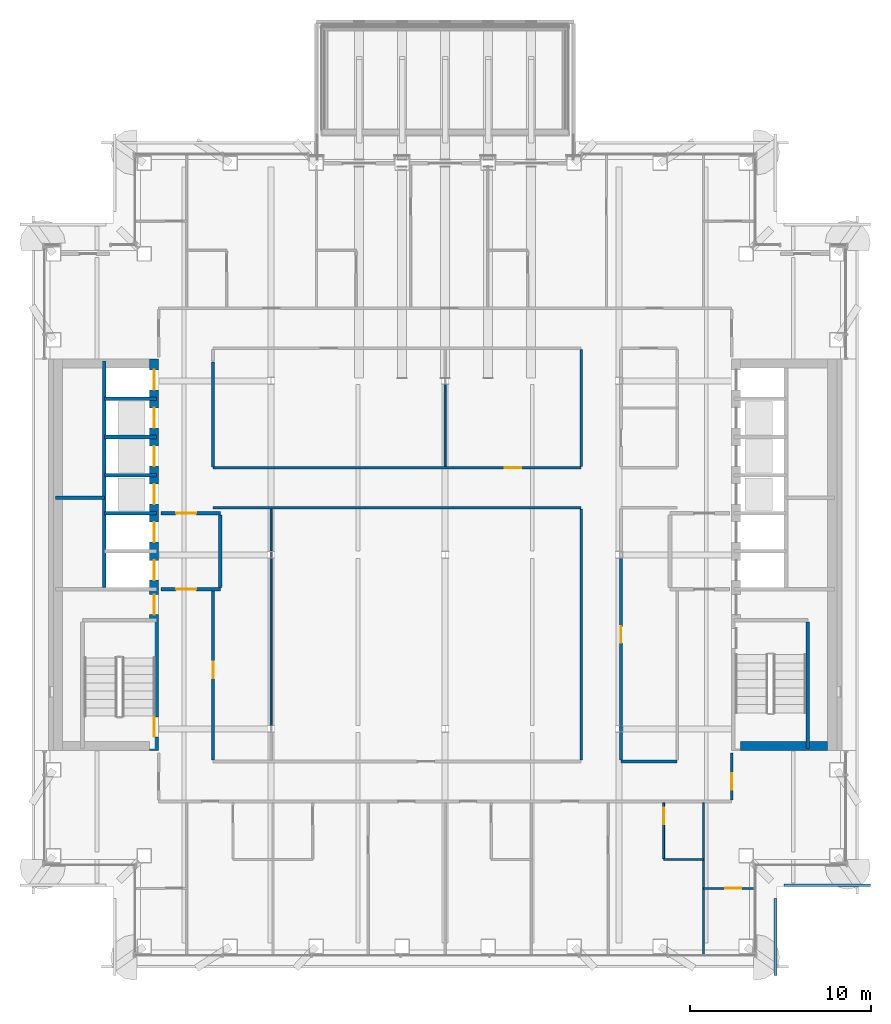
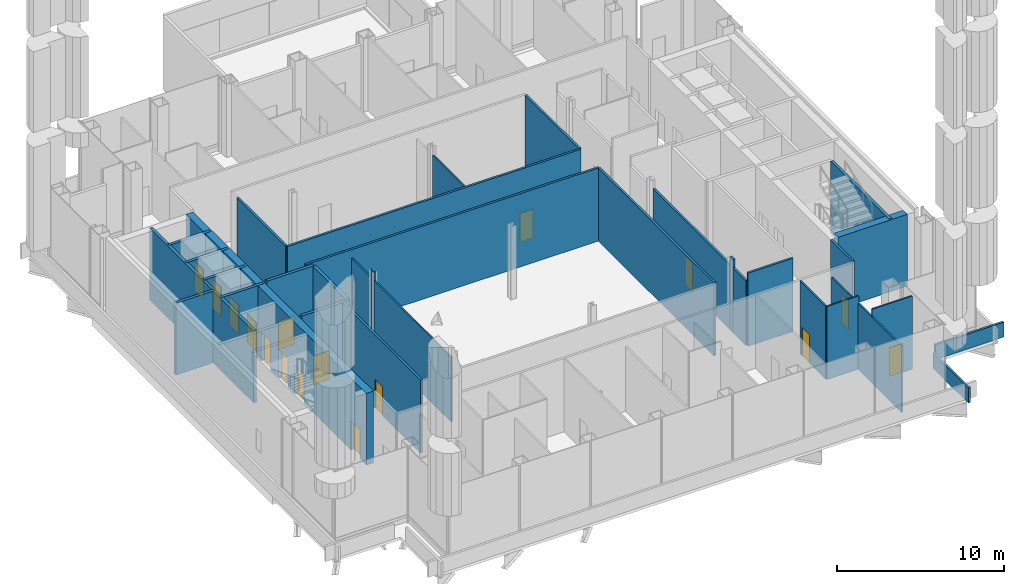
# One storey, part 11 of 22: 33 walls, 16 doors, 16 openings.
"""IFC4 building model written with IfcOpenShell, lengths in metres."""

from ifc_helpers import new_model, si_unit, direction, frame, frame_2d, origin, place, context, subcontext, project, spatial, rectangle, extrude, material, layer, layer_set, type_object, element, fill, save


model = new_model("IFC4")

# Units and contexts
model_context = context("Model", 3, precision=1e-05, world=origin(), true_north=direction((0.0, 1.0)))
body_context = subcontext(model_context, "Body", "Model", "MODEL_VIEW")
ifc_project = project(units=[si_unit("LENGTHUNIT", "METRE"), si_unit("AREAUNIT", "SQUARE_METRE"), si_unit("VOLUMEUNIT", "CUBIC_METRE"), si_unit("PLANEANGLEUNIT", "RADIAN"), si_unit("MASSUNIT", "GRAM", prefix="KILO")], contexts=[model_context])

# Site, building, storey
site_placement = place(None, origin())
site = spatial("IfcSite", under=ifc_project, at=site_placement, CompositionType="ELEMENT")
building_placement = place(site_placement, origin())
building = spatial("IfcBuilding", under=site, at=building_placement, Name="Cobrizo Arcos Hotel Tower", CompositionType="ELEMENT")
storey_placement = place(building_placement, frame((0.0, 0.0, 142.5)))
storey = spatial("IfcBuildingStorey", under=building, at=storey_placement, Name="L36", CompositionType="ELEMENT", Elevation=142.5)

# Walls
ifc_material_1 = material(Name="Gypsum board partition")
ifc_layer_1 = layer(ifc_material_1, 0.14990234375)
ifc_layer_set_1 = layer_set([ifc_layer_1], Name="Corridor wall EI 60 150")
wall_type_1 = type_object("IfcWallType", Name="Corridor wall EI 60 150", PredefinedType="PARTITIONING", material=ifc_layer_set_1)
wall_1_placement = place(storey_placement, frame((9.699951171875, -11.39990234375, 0.0), z_axis=(0.0, 0.0, 1.0), x_axis=(1.0, 0.0, 0.0)))
element("IfcWall", 1, at=wall_1_placement, inside=storey, type_object=wall_type_1, Name="Partition 008", PredefinedType="PARTITIONING", context=body_context, shape_type="SweptSolid", body=[
    extrude(rectangle(XDim=3.10009765625, YDim=0.14990234375, at=frame_2d((1.550048828125, 0.0))), origin(), (0.0, 0.0, 1.0), 5.35009765625),
])
wall_2_placement = place(storey_placement, frame((-12.800048828125, 2.60009765625, 0.0), z_axis=(0.0, 0.0, 1.0), x_axis=(1.0, 0.0, 0.0)))
element("IfcWall", 2, at=wall_2_placement, inside=storey, type_object=wall_type_1, Name="Partition 021", PredefinedType="PARTITIONING", context=body_context, shape_type="SweptSolid", body=[
    extrude(rectangle(XDim=20.300048828125, YDim=0.14990234375, at=frame_2d((10.14990234375, 0.0))), origin(), (0.0, 0.0, 1.0), 5.35009765625),
])

# Wall, opening, door
wall_3_placement = place(storey_placement, frame((-12.800048828125, 4.800048828125, 0.0), z_axis=(0.0, 0.0, 1.0), x_axis=(1.0, 0.0, 0.0)))
wall_3 = element("IfcWall", 3, at=wall_3_placement, inside=storey, type_object=wall_type_1, Name="Partition 027", PredefinedType="PARTITIONING", context=body_context, shape_type="SweptSolid", body=[
    extrude(rectangle(XDim=20.300048828125, YDim=0.14990234375, at=frame_2d((10.14990234375, 0.0))), origin(), (0.0, 0.0, 1.0), 5.35009765625),
])
opening_1_placement = place(wall_3_placement, frame((16.10009765625, 0.0, 0.0)))
opening_1 = element("IfcOpeningElement", 4, at=opening_1_placement, cuts=wall_3, Name="Opening RD-18", PredefinedType="OPENING", context=body_context, shape_type="SweptSolid", body=[
    extrude(rectangle(XDim=0.89990234375, YDim=2.10009765625, at=frame_2d((0.449951171875, 1.050048828125))), frame((0.0, 0.0869140625, 0.0), z_axis=(0.0, -1.0, 0.0), x_axis=(1.0, 0.0, 0.0)), (0.0, 0.0, 1.0), 0.173828125),
])
ifc_material_2 = material(Name="Timber door leaf", Category="wood")
door_type_1 = type_object("IfcDoorType", Name="Room door FD30 900x2100", OperationType="SINGLE_SWING_LEFT", PredefinedType="DOOR", material=ifc_material_2)
door_1_placement = place(opening_1_placement, origin())
door_1 = element("IfcDoor", 5, at=door_1_placement, inside=storey, type_object=door_type_1, Name="Door RD-18", OperationType="SINGLE_SWING_LEFT", OverallHeight=2.10009765625, OverallWidth=0.89990234375, PredefinedType="DOOR", context=body_context, shape_type="SweptSolid", body=[
    extrude(rectangle(XDim=0.89990234375, YDim=2.10009765625, at=frame_2d((0.449951171875, 1.050048828125))), frame((0.0, 0.02490234375, 0.0), z_axis=(0.0, -1.0, 0.0), x_axis=(1.0, 0.0, 0.0)), (0.0, 0.0, 1.0), 0.050048828125),
])
fill(opening_1, door_1)

wall_4_placement = place(storey_placement, frame((-12.800048828125, -11.324951171875, 0.0), z_axis=(0.0, 0.0, 1.0), x_axis=(0.0, 1.0, 0.0)))
wall_4 = element("IfcWall", 6, at=wall_4_placement, inside=storey, type_object=wall_type_1, Name="Partition 050", PredefinedType="PARTITIONING", context=body_context, shape_type="SweptSolid", body=[
    extrude(rectangle(XDim=9.324951171875, YDim=0.14990234375, at=frame_2d((4.66259765625, 0.0))), origin(), (0.0, 0.0, 1.0), 5.35009765625),
])
opening_2_placement = place(wall_4_placement, frame((4.52490234375, 0.0, 0.0)))
opening_2 = element("IfcOpeningElement", 7, at=opening_2_placement, cuts=wall_4, Name="Opening RD-17", PredefinedType="OPENING", context=body_context, shape_type="SweptSolid", body=[
    extrude(rectangle(XDim=0.89990234375, YDim=2.10009765625, at=frame_2d((0.449951171875, 1.050048828125))), frame((0.0, 0.0869140625, 0.0), z_axis=(0.0, -1.0, 0.0), x_axis=(1.0, 0.0, 0.0)), (0.0, 0.0, 1.0), 0.173828125),
])
door_2_placement = place(opening_2_placement, origin())
door_2 = element("IfcDoor", 8, at=door_2_placement, inside=storey, type_object=door_type_1, Name="Door RD-17", OperationType="SINGLE_SWING_RIGHT", OverallHeight=2.10009765625, OverallWidth=0.89990234375, PredefinedType="DOOR", context=body_context, shape_type="SweptSolid", body=[
    extrude(rectangle(XDim=0.89990234375, YDim=2.10009765625, at=frame_2d((0.449951171875, 1.050048828125))), frame((0.0, 0.02490234375, 0.0), z_axis=(0.0, -1.0, 0.0), x_axis=(1.0, 0.0, 0.0)), (0.0, 0.0, 1.0), 0.050048828125),
])
fill(opening_2, door_2)

# Walls
wall_5_placement = place(storey_placement, frame((-12.800048828125, 4.85009765625, 0.0), z_axis=(0.0, 0.0, 1.0), x_axis=(0.0, 1.0, 0.0)))
element("IfcWall", 9, at=wall_5_placement, inside=storey, type_object=wall_type_1, Name="Partition 051", PredefinedType="PARTITIONING", context=body_context, shape_type="SweptSolid", body=[
    extrude(rectangle(XDim=5.7998046875, YDim=0.14990234375, at=frame_2d((2.89990234375, 0.0))), origin(), (0.0, 0.0, 1.0), 5.35009765625),
])
wall_6_placement = place(storey_placement, frame((7.5, -11.324951171875, 0.0), z_axis=(0.0, 0.0, 1.0), x_axis=(0.0, 1.0, 0.0)))
element("IfcWall", 10, at=wall_6_placement, inside=storey, type_object=wall_type_1, Name="Partition 078", PredefinedType="PARTITIONING", context=body_context, shape_type="SweptSolid", body=[
    extrude(rectangle(XDim=13.849853515625, YDim=0.14990234375, at=frame_2d((6.9248046875, 0.0))), origin(), (0.0, 0.0, 1.0), 5.35009765625),
])
wall_7_placement = place(storey_placement, frame((7.5, 4.875, 0.0), z_axis=(0.0, 0.0, 1.0), x_axis=(0.0, 1.0, 0.0)))
element("IfcWall", 11, at=wall_7_placement, inside=storey, type_object=wall_type_1, Name="Partition 079", PredefinedType="PARTITIONING", context=body_context, shape_type="SweptSolid", body=[
    extrude(rectangle(XDim=6.449951171875, YDim=0.14990234375, at=frame_2d((3.22509765625, 0.0))), origin(), (0.0, 0.0, 1.0), 5.35009765625),
])
wall_8_placement = place(storey_placement, frame((9.699951171875, -11.324951171875, 0.0), z_axis=(0.0, 0.0, 1.0), x_axis=(0.0, 1.0, 0.0)))
element("IfcWall", 12, at=wall_8_placement, inside=storey, type_object=wall_type_1, Name="Partition 082", PredefinedType="PARTITIONING", context=body_context, shape_type="SweptSolid", body=[
    extrude(rectangle(XDim=1.537841796875, YDim=0.14990234375, at=frame_2d((0.76904296875, 0.0))), origin(), (0.0, 0.0, 1.0), 4.72802734375),
])
wall_9_placement = place(storey_placement, frame((9.699951171875, -9.787109375, 0.0), z_axis=(0.0, 0.0, 1.0), x_axis=(0.0, 1.0, 0.0)))
element("IfcWall", 13, at=wall_9_placement, inside=storey, type_object=wall_type_1, Name="Partition 083", PredefinedType="PARTITIONING", context=body_context, shape_type="SweptSolid", body=[
    extrude(rectangle(XDim=0.3740234375, YDim=0.14990234375, at=frame_2d((0.18701171875, 0.0))), origin(), (0.0, 0.0, 1.0), 5.35009765625),
])

# Wall, opening, door
wall_10_placement = place(storey_placement, frame((9.699951171875, -9.4130859375, 0.0), z_axis=(0.0, 0.0, 1.0), x_axis=(0.0, 1.0, 0.0)))
wall_10 = element("IfcWall", 14, at=wall_10_placement, inside=storey, type_object=wall_type_1, Name="Partition 084", PredefinedType="PARTITIONING", context=body_context, shape_type="SweptSolid", body=[
    extrude(rectangle(XDim=9.22607421875, YDim=0.14990234375, at=frame_2d((4.613037109375, 0.0))), origin(), (0.0, 0.0, 1.0), 4.72802734375),
])
opening_3_placement = place(wall_10_placement, frame((4.56298828125, 0.0, 0.0)))
opening_3 = element("IfcOpeningElement", 15, at=opening_3_placement, cuts=wall_10, Name="Opening RD-16", PredefinedType="OPENING", context=body_context, shape_type="SweptSolid", body=[
    extrude(rectangle(XDim=0.89990234375, YDim=2.10009765625, at=frame_2d((0.449951171875, 1.050048828125))), frame((0.0, 0.0869140625, 0.0), z_axis=(0.0, -1.0, 0.0), x_axis=(1.0, 0.0, 0.0)), (0.0, 0.0, 1.0), 0.173828125),
])
door_3_placement = place(opening_3_placement, origin())
door_3 = element("IfcDoor", 16, at=door_3_placement, inside=storey, type_object=door_type_1, Name="Door RD-16", OperationType="SINGLE_SWING_LEFT", OverallHeight=2.10009765625, OverallWidth=0.89990234375, PredefinedType="DOOR", context=body_context, shape_type="SweptSolid", body=[
    extrude(rectangle(XDim=0.89990234375, YDim=2.10009765625, at=frame_2d((0.449951171875, 1.050048828125))), frame((0.0, 0.02490234375, 0.0), z_axis=(0.0, -1.0, 0.0), x_axis=(1.0, 0.0, 0.0)), (0.0, 0.0, 1.0), 0.050048828125),
])
fill(opening_3, door_3)

wall_11_placement = place(storey_placement, frame((15.800048828125, -13.52490234375, 0.0), z_axis=(0.0, 0.0, 1.0), x_axis=(0.0, 1.0, 0.0)))
wall_11 = element("IfcWall", 17, at=wall_11_placement, inside=storey, type_object=wall_type_1, Name="Partition 097", PredefinedType="PARTITIONING", context=body_context, shape_type="SweptSolid", body=[
    extrude(rectangle(XDim=2.60498046875, YDim=0.14990234375, at=frame_2d((1.302490234375, 0.0))), origin(), (0.0, 0.0, 1.0), 5.35009765625),
])
opening_4_placement = place(wall_11_placement, frame((0.574951171875, 0.0, 0.0)))
opening_4 = element("IfcOpeningElement", 18, at=opening_4_placement, cuts=wall_11, Name="Opening RD-14", PredefinedType="OPENING", context=body_context, shape_type="SweptSolid", body=[
    extrude(rectangle(XDim=0.89990234375, YDim=2.10009765625, at=frame_2d((0.449951171875, 1.050048828125))), frame((0.0, 0.0869140625, 0.0), z_axis=(0.0, -1.0, 0.0), x_axis=(1.0, 0.0, 0.0)), (0.0, 0.0, 1.0), 0.173828125),
])
door_4_placement = place(opening_4_placement, origin())
door_4 = element("IfcDoor", 19, at=door_4_placement, inside=storey, type_object=door_type_1, Name="Door RD-14", OperationType="SINGLE_SWING_LEFT", OverallHeight=2.10009765625, OverallWidth=0.89990234375, PredefinedType="DOOR", context=body_context, shape_type="SweptSolid", body=[
    extrude(rectangle(XDim=0.89990234375, YDim=2.10009765625, at=frame_2d((0.449951171875, 1.050048828125))), frame((0.0, 0.02490234375, 0.0), z_axis=(0.0, -1.0, 0.0), x_axis=(1.0, 0.0, 0.0)), (0.0, 0.0, 1.0), 0.050048828125),
])
fill(opening_4, door_4)

# Walls
ifc_material_3 = material(Name="Aluminium composite panel pale metal", Category="aluminium")
ifc_layer_2 = layer(ifc_material_3, 0.14990234375)
ifc_layer_set_2 = layer_set([ifc_layer_2], Name="PW-3 terrace parapet wall")
wall_type_2 = type_object("IfcWallType", Name="PW-3 terrace parapet wall", PredefinedType="PARAPET", material=ifc_layer_set_2)
wall_12_placement = place(storey_placement, frame((18.22509765625, -23.199951171875, 0.0), z_axis=(0.0, 0.0, 1.0), x_axis=(0.0, 1.0, 0.0)))
element("IfcWall", 20, at=wall_12_placement, inside=storey, type_object=wall_type_2, Name="Parapet L35 E", PredefinedType="PARAPET", context=body_context, shape_type="SweptSolid", body=[
    extrude(rectangle(XDim=4.25, YDim=0.14990234375, at=frame_2d((2.125, 0.0))), origin(), (0.0, 0.0, 1.0), 1.10009765625),
])
wall_13_placement = place(storey_placement, frame((18.699951171875, -18.22509765625, 0.0), z_axis=(0.0, 0.0, 1.0), x_axis=(1.0, 0.0, 0.0)))
element("IfcWall", 21, at=wall_13_placement, inside=storey, type_object=wall_type_2, Name="Parapet L35 S", PredefinedType="PARAPET", context=body_context, shape_type="SweptSolid", body=[
    extrude(rectangle(XDim=4.75, YDim=0.14990234375, at=frame_2d((2.375, 0.0))), origin(), (0.0, 0.0, 1.0), 1.10009765625),
])

# Wall, opening, door
ifc_layer_3 = layer(ifc_material_1, 0.10009765625)
ifc_layer_set_3 = layer_set([ifc_layer_3], Name="Partition EI 30 100")
wall_type_3 = type_object("IfcWallType", Name="Partition EI 30 100", PredefinedType="PARTITIONING", material=ifc_layer_set_3)
wall_14_placement = place(storey_placement, frame((14.25, -18.39990234375, 0.0), z_axis=(0.0, 0.0, 1.0), x_axis=(1.0, 0.0, 0.0)))
wall_14 = element("IfcWall", 22, at=wall_14_placement, inside=storey, type_object=wall_type_3, Name="Partition 002", PredefinedType="PARTITIONING", context=body_context, shape_type="SweptSolid", body=[
    extrude(rectangle(XDim=2.780029296875, YDim=0.10009765625, at=frame_2d((1.39013671875, 0.0))), origin(), (0.0, 0.0, 1.0), 5.35009765625),
])
opening_5_placement = place(wall_14_placement, frame((1.18896484375, 0.0, 0.0)))
opening_5 = element("IfcOpeningElement", 23, at=opening_5_placement, cuts=wall_14, Name="Opening ED-10", PredefinedType="OPENING", context=body_context, shape_type="SweptSolid", body=[
    extrude(rectangle(XDim=0.89990234375, YDim=2.10009765625, at=frame_2d((0.449951171875, 1.050048828125))), frame((0.0, 0.06201171875, 0.0), z_axis=(0.0, -1.0, 0.0), x_axis=(1.0, 0.0, 0.0)), (0.0, 0.0, 1.0), 0.1240234375),
])
door_type_2 = type_object("IfcDoorType", Name="En-suite door 900x2100", OperationType="SINGLE_SWING_LEFT", PredefinedType="DOOR", material=ifc_material_2)
door_5_placement = place(opening_5_placement, origin())
door_5 = element("IfcDoor", 24, at=door_5_placement, inside=storey, type_object=door_type_2, Name="Door ED-10", OperationType="SINGLE_SWING_RIGHT", OverallHeight=2.10009765625, OverallWidth=0.89990234375, PredefinedType="DOOR", context=body_context, shape_type="SweptSolid", body=[
    extrude(rectangle(XDim=0.89990234375, YDim=2.10009765625, at=frame_2d((0.449951171875, 1.050048828125))), frame((0.0, 0.02490234375, 0.0), z_axis=(0.0, -1.0, 0.0), x_axis=(1.0, 0.0, 0.0)), (0.0, 0.0, 1.0), 0.050048828125),
])
fill(opening_5, door_5)

# Walls
wall_15_placement = place(storey_placement, frame((12.050048828125, -16.800048828125, 0.0), z_axis=(0.0, 0.0, 1.0), x_axis=(1.0, 0.0, 0.0)))
element("IfcWall", 25, at=wall_15_placement, inside=storey, type_object=wall_type_3, Name="Partition 005", PredefinedType="PARTITIONING", context=body_context, shape_type="SweptSolid", body=[
    extrude(rectangle(XDim=2.199951171875, YDim=0.10009765625, at=frame_2d((1.10009765625, 0.0))), origin(), (0.0, 0.0, 1.0), 5.35009765625),
])
wall_16_placement = place(storey_placement, frame((-9.60009765625, -9.4130859375, 0.0), z_axis=(0.0, 0.0, 1.0), x_axis=(0.0, 1.0, 0.0)))
element("IfcWall", 26, at=wall_16_placement, inside=storey, type_object=wall_type_3, Name="Partition 058", PredefinedType="PARTITIONING", context=body_context, shape_type="SweptSolid", body=[
    extrude(rectangle(XDim=9.22607421875, YDim=0.10009765625, at=frame_2d((4.613037109375, 0.0))), origin(), (0.0, 0.0, 1.0), 4.72802734375),
])
wall_17_placement = place(storey_placement, frame((-9.60009765625, -0.18701171875, 0.0), z_axis=(0.0, 0.0, 1.0), x_axis=(0.0, 1.0, 0.0)))
element("IfcWall", 27, at=wall_17_placement, inside=storey, type_object=wall_type_3, Name="Partition 059", PredefinedType="PARTITIONING", context=body_context, shape_type="SweptSolid", body=[
    extrude(rectangle(XDim=0.3740234375, YDim=0.10009765625, at=frame_2d((0.18701171875, 0.0))), origin(), (0.0, 0.0, 1.0), 5.35009765625),
])
wall_18_placement = place(storey_placement, frame((-9.60009765625, 0.18701171875, 0.0), z_axis=(0.0, 0.0, 1.0), x_axis=(0.0, 1.0, 0.0)))
element("IfcWall", 28, at=wall_18_placement, inside=storey, type_object=wall_type_3, Name="Partition 060", PredefinedType="PARTITIONING", context=body_context, shape_type="SweptSolid", body=[
    extrude(rectangle(XDim=2.337890625, YDim=0.10009765625, at=frame_2d((1.1689453125, 0.0))), origin(), (0.0, 0.0, 1.0), 4.72802734375),
])
wall_19_placement = place(storey_placement, frame((0.0, 4.875, 0.0), z_axis=(0.0, 0.0, 1.0), x_axis=(0.0, 1.0, 0.0)))
element("IfcWall", 29, at=wall_19_placement, inside=storey, type_object=wall_type_3, Name="Partition 070", PredefinedType="PARTITIONING", context=body_context, shape_type="SweptSolid", body=[
    extrude(rectangle(XDim=4.5380859375, YDim=0.10009765625, at=frame_2d((2.26904296875, 0.0))), origin(), (0.0, 0.0, 1.0), 4.72802734375),
])

# Wall, opening, door
wall_20_placement = place(storey_placement, frame((12.050048828125, -16.75, 0.0), z_axis=(0.0, 0.0, 1.0), x_axis=(0.0, 1.0, 0.0)))
wall_20 = element("IfcWall", 30, at=wall_20_placement, inside=storey, type_object=wall_type_3, Name="Partition 090", PredefinedType="PARTITIONING", context=body_context, shape_type="SweptSolid", body=[
    extrude(rectangle(XDim=3.074951171875, YDim=0.10009765625, at=frame_2d((1.53759765625, 0.0))), origin(), (0.0, 0.0, 1.0), 5.35009765625),
])
opening_6_placement = place(wall_20_placement, frame((1.89990234375, 0.0, 0.0)))
opening_6 = element("IfcOpeningElement", 31, at=opening_6_placement, cuts=wall_20, Name="Opening ED-07", PredefinedType="OPENING", context=body_context, shape_type="SweptSolid", body=[
    extrude(rectangle(XDim=0.89990234375, YDim=2.10009765625, at=frame_2d((0.449951171875, 1.050048828125))), frame((0.0, 0.06201171875, 0.0), z_axis=(0.0, -1.0, 0.0), x_axis=(1.0, 0.0, 0.0)), (0.0, 0.0, 1.0), 0.1240234375),
])
door_6_placement = place(opening_6_placement, origin())
door_6 = element("IfcDoor", 32, at=door_6_placement, inside=storey, type_object=door_type_2, Name="Door ED-07", OperationType="SINGLE_SWING_RIGHT", OverallHeight=2.10009765625, OverallWidth=0.89990234375, PredefinedType="DOOR", context=body_context, shape_type="SweptSolid", body=[
    extrude(rectangle(XDim=0.89990234375, YDim=2.10009765625, at=frame_2d((0.449951171875, 1.050048828125))), frame((0.0, 0.02490234375, 0.0), z_axis=(0.0, -1.0, 0.0), x_axis=(1.0, 0.0, 0.0)), (0.0, 0.0, 1.0), 0.050048828125),
])
fill(opening_6, door_6)

# Walls
wall_21_placement = place(storey_placement, frame((14.25, -22.030029296875, 0.0), z_axis=(0.0, 0.0, 1.0), x_axis=(0.0, 1.0, 0.0)))
element("IfcWall", 33, at=wall_21_placement, inside=storey, type_object=wall_type_3, Name="Partition 095", PredefinedType="PARTITIONING", context=body_context, shape_type="SweptSolid", body=[
    extrude(rectangle(XDim=8.35498046875, YDim=0.10009765625, at=frame_2d((4.177490234375, 0.0))), origin(), (0.0, 0.0, 1.0), 4.81689453125),
])
ifc_material_4 = material(Name="Concrete f'c 50 MPa", Category="concrete")
ifc_layer_4 = layer(ifc_material_4, 0.5)
ifc_layer_set_4 = layer_set([ifc_layer_4], Name="RC core wall 500 f'c 50")
wall_type_4 = type_object("IfcWallType", Name="RC core wall 500 f'c 50", PredefinedType="SHEAR", material=ifc_layer_set_4)
wall_22_placement = place(storey_placement, frame((16.300048828125, -10.550048828125, 0.0), z_axis=(0.0, 0.0, 1.0), x_axis=(1.0, 0.0, 0.0)))
element("IfcWall", 34, at=wall_22_placement, inside=storey, type_object=wall_type_4, Name="Core wall CW3, east core, south end, L36", PredefinedType="SHEAR", context=body_context, shape_type="SweptSolid", body=[
    extrude(rectangle(XDim=4.800048828125, YDim=0.5, at=frame_2d((2.39990234375, 0.0))), origin(), (0.0, 0.0, 1.0), 5.25),
])

# Wall, openings, doors
wall_23_placement = place(storey_placement, frame((-16.050048828125, -10.800048828125, 0.0), z_axis=(0.0, 0.0, 1.0), x_axis=(0.0, 1.0, 0.0)))
wall_23 = element("IfcWall", 35, at=wall_23_placement, inside=storey, type_object=wall_type_4, Name="Core wall CW3, west core, inner face, L36", PredefinedType="SHEAR", context=body_context, shape_type="SweptSolid", body=[
    extrude(rectangle(XDim=21.60009765625, YDim=0.5, at=frame_2d((10.800048828125, 0.0))), origin(), (0.0, 0.0, 1.0), 5.25),
])
opening_7_placement = place(wall_23_placement, frame((9.39990234375, 0.0, 0.0)))
opening_7 = element("IfcOpeningElement", 36, at=opening_7_placement, cuts=wall_23, Name="Opening LD-01", PredefinedType="OPENING", context=body_context, shape_type="SweptSolid", body=[
    extrude(rectangle(XDim=1.10009765625, YDim=2.10009765625, at=frame_2d((0.550048828125, 1.050048828125))), frame((0.0, 0.261962890625, 0.0), z_axis=(0.0, -1.0, 0.0), x_axis=(1.0, 0.0, 0.0)), (0.0, 0.0, 1.0), 0.52392578125),
])
opening_8_placement = place(wall_23_placement, frame((11.5, 0.0, 0.0)))
opening_8 = element("IfcOpeningElement", 37, at=opening_8_placement, cuts=wall_23, Name="Opening LD-02", PredefinedType="OPENING", context=body_context, shape_type="SweptSolid", body=[
    extrude(rectangle(XDim=1.10009765625, YDim=2.10009765625, at=frame_2d((0.550048828125, 1.050048828125))), frame((0.0, 0.261962890625, 0.0), z_axis=(0.0, -1.0, 0.0), x_axis=(1.0, 0.0, 0.0)), (0.0, 0.0, 1.0), 0.52392578125),
])
opening_9_placement = place(wall_23_placement, frame((13.60009765625, 0.0, 0.0)))
opening_9 = element("IfcOpeningElement", 38, at=opening_9_placement, cuts=wall_23, Name="Opening LD-03", PredefinedType="OPENING", context=body_context, shape_type="SweptSolid", body=[
    extrude(rectangle(XDim=1.10009765625, YDim=2.10009765625, at=frame_2d((0.550048828125, 1.050048828125))), frame((0.0, 0.261962890625, 0.0), z_axis=(0.0, -1.0, 0.0), x_axis=(1.0, 0.0, 0.0)), (0.0, 0.0, 1.0), 0.52392578125),
])
opening_10_placement = place(wall_23_placement, frame((15.699951171875, 0.0, 0.0)))
opening_10 = element("IfcOpeningElement", 39, at=opening_10_placement, cuts=wall_23, Name="Opening LD-04", PredefinedType="OPENING", context=body_context, shape_type="SweptSolid", body=[
    extrude(rectangle(XDim=1.10009765625, YDim=2.10009765625, at=frame_2d((0.550048828125, 1.050048828125))), frame((0.0, 0.261962890625, 0.0), z_axis=(0.0, -1.0, 0.0), x_axis=(1.0, 0.0, 0.0)), (0.0, 0.0, 1.0), 0.52392578125),
])
opening_11_placement = place(wall_23_placement, frame((17.800048828125, 0.0, 0.0)))
opening_11 = element("IfcOpeningElement", 40, at=opening_11_placement, cuts=wall_23, Name="Opening LD-05", PredefinedType="OPENING", context=body_context, shape_type="SweptSolid", body=[
    extrude(rectangle(XDim=1.10009765625, YDim=2.10009765625, at=frame_2d((0.550048828125, 1.050048828125))), frame((0.0, 0.261962890625, 0.0), z_axis=(0.0, -1.0, 0.0), x_axis=(1.0, 0.0, 0.0)), (0.0, 0.0, 1.0), 0.52392578125),
])
opening_12_placement = place(wall_23_placement, frame((19.89990234375, 0.0, 0.0)))
opening_12 = element("IfcOpeningElement", 41, at=opening_12_placement, cuts=wall_23, Name="Opening LD-06", PredefinedType="OPENING", context=body_context, shape_type="SweptSolid", body=[
    extrude(rectangle(XDim=1.10009765625, YDim=2.10009765625, at=frame_2d((0.550048828125, 1.050048828125))), frame((0.0, 0.261962890625, 0.0), z_axis=(0.0, -1.0, 0.0), x_axis=(1.0, 0.0, 0.0)), (0.0, 0.0, 1.0), 0.52392578125),
])
opening_13_placement = place(wall_23_placement, frame((0.758056640625, 0.0, 0.0)))
opening_13 = element("IfcOpeningElement", 42, at=opening_13_placement, cuts=wall_23, Name="Opening SD-01", PredefinedType="OPENING", context=body_context, shape_type="SweptSolid", body=[
    extrude(rectangle(XDim=1.10009765625, YDim=2.10009765625, at=frame_2d((0.550048828125, 1.050048828125))), frame((0.0, 0.261962890625, 0.0), z_axis=(0.0, -1.0, 0.0), x_axis=(1.0, 0.0, 0.0)), (0.0, 0.0, 1.0), 0.52392578125),
])
opening_14_placement = place(wall_23_placement, frame((7.5, 0.0, 0.0)))
opening_14 = element("IfcOpeningElement", 43, at=opening_14_placement, cuts=wall_23, Name="Opening FD-01", PredefinedType="OPENING", context=body_context, shape_type="SweptSolid", body=[
    extrude(rectangle(XDim=1.10009765625, YDim=2.10009765625, at=frame_2d((0.550048828125, 1.050048828125))), frame((0.0, 0.261962890625, 0.0), z_axis=(0.0, -1.0, 0.0), x_axis=(1.0, 0.0, 0.0)), (0.0, 0.0, 1.0), 0.52392578125),
])
ifc_material_5 = material(Name="Steel door leaf", Category="steel")
door_type_3 = type_object("IfcDoorType", Name="Fire door FD60 1100x2100", OperationType="SINGLE_SWING_LEFT", PredefinedType="DOOR", material=ifc_material_5)
door_7_placement = place(opening_14_placement, origin())
door_7 = element("IfcDoor", 44, at=door_7_placement, inside=storey, type_object=door_type_3, Name="Door FD-01", OperationType="SINGLE_SWING_LEFT", OverallHeight=2.10009765625, OverallWidth=1.10009765625, PredefinedType="DOOR", context=body_context, shape_type="SweptSolid", body=[
    extrude(rectangle(XDim=1.10009765625, YDim=2.10009765625, at=frame_2d((0.550048828125, 1.050048828125))), frame((0.0, 0.02490234375, 0.0), z_axis=(0.0, -1.0, 0.0), x_axis=(1.0, 0.0, 0.0)), (0.0, 0.0, 1.0), 0.050048828125),
])
fill(opening_14, door_7)
door_type_4 = type_object("IfcDoorType", Name="Lift landing door 1100x2100", OperationType="SLIDING_TO_LEFT", PredefinedType="DOOR", material=ifc_material_5)
door_8_placement = place(opening_7_placement, origin())
door_8 = element("IfcDoor", 45, at=door_8_placement, inside=storey, type_object=door_type_4, Name="Lift landing door LD-01", OperationType="SLIDING_TO_LEFT", OverallHeight=2.10009765625, OverallWidth=1.10009765625, PredefinedType="DOOR", context=body_context, shape_type="SweptSolid", body=[
    extrude(rectangle(XDim=1.10009765625, YDim=2.10009765625, at=frame_2d((0.550048828125, 1.050048828125))), frame((0.0, 0.02490234375, 0.0), z_axis=(0.0, -1.0, 0.0), x_axis=(1.0, 0.0, 0.0)), (0.0, 0.0, 1.0), 0.050048828125),
])
fill(opening_7, door_8)
door_9_placement = place(opening_8_placement, origin())
door_9 = element("IfcDoor", 46, at=door_9_placement, inside=storey, type_object=door_type_4, Name="Lift landing door LD-02", OperationType="SLIDING_TO_LEFT", OverallHeight=2.10009765625, OverallWidth=1.10009765625, PredefinedType="DOOR", context=body_context, shape_type="SweptSolid", body=[
    extrude(rectangle(XDim=1.10009765625, YDim=2.10009765625, at=frame_2d((0.550048828125, 1.050048828125))), frame((0.0, 0.02490234375, 0.0), z_axis=(0.0, -1.0, 0.0), x_axis=(1.0, 0.0, 0.0)), (0.0, 0.0, 1.0), 0.050048828125),
])
fill(opening_8, door_9)
door_10_placement = place(opening_9_placement, origin())
door_10 = element("IfcDoor", 47, at=door_10_placement, inside=storey, type_object=door_type_4, Name="Lift landing door LD-03", OperationType="SLIDING_TO_LEFT", OverallHeight=2.10009765625, OverallWidth=1.10009765625, PredefinedType="DOOR", context=body_context, shape_type="SweptSolid", body=[
    extrude(rectangle(XDim=1.10009765625, YDim=2.10009765625, at=frame_2d((0.550048828125, 1.050048828125))), frame((0.0, 0.02490234375, 0.0), z_axis=(0.0, -1.0, 0.0), x_axis=(1.0, 0.0, 0.0)), (0.0, 0.0, 1.0), 0.050048828125),
])
fill(opening_9, door_10)
door_11_placement = place(opening_10_placement, origin())
door_11 = element("IfcDoor", 48, at=door_11_placement, inside=storey, type_object=door_type_4, Name="Lift landing door LD-04", OperationType="SLIDING_TO_LEFT", OverallHeight=2.10009765625, OverallWidth=1.10009765625, PredefinedType="DOOR", context=body_context, shape_type="SweptSolid", body=[
    extrude(rectangle(XDim=1.10009765625, YDim=2.10009765625, at=frame_2d((0.550048828125, 1.050048828125))), frame((0.0, 0.02490234375, 0.0), z_axis=(0.0, -1.0, 0.0), x_axis=(1.0, 0.0, 0.0)), (0.0, 0.0, 1.0), 0.050048828125),
])
fill(opening_10, door_11)
door_12_placement = place(opening_11_placement, origin())
door_12 = element("IfcDoor", 49, at=door_12_placement, inside=storey, type_object=door_type_4, Name="Lift landing door LD-05", OperationType="SLIDING_TO_LEFT", OverallHeight=2.10009765625, OverallWidth=1.10009765625, PredefinedType="DOOR", context=body_context, shape_type="SweptSolid", body=[
    extrude(rectangle(XDim=1.10009765625, YDim=2.10009765625, at=frame_2d((0.550048828125, 1.050048828125))), frame((0.0, 0.02490234375, 0.0), z_axis=(0.0, -1.0, 0.0), x_axis=(1.0, 0.0, 0.0)), (0.0, 0.0, 1.0), 0.050048828125),
])
fill(opening_11, door_12)
door_13_placement = place(opening_12_placement, origin())
door_13 = element("IfcDoor", 50, at=door_13_placement, inside=storey, type_object=door_type_4, Name="Lift landing door LD-06", OperationType="SLIDING_TO_LEFT", OverallHeight=2.10009765625, OverallWidth=1.10009765625, PredefinedType="DOOR", context=body_context, shape_type="SweptSolid", body=[
    extrude(rectangle(XDim=1.10009765625, YDim=2.10009765625, at=frame_2d((0.550048828125, 1.050048828125))), frame((0.0, 0.02490234375, 0.0), z_axis=(0.0, -1.0, 0.0), x_axis=(1.0, 0.0, 0.0)), (0.0, 0.0, 1.0), 0.050048828125),
])
fill(opening_12, door_13)
door_type_5 = type_object("IfcDoorType", Name="Stair door FD60S 1100x2100", OperationType="SINGLE_SWING_LEFT", PredefinedType="DOOR", material=ifc_material_5)
door_14_placement = place(opening_13_placement, origin())
door_14 = element("IfcDoor", 51, at=door_14_placement, inside=storey, type_object=door_type_5, Name="Door SD-01", OperationType="SINGLE_SWING_LEFT", OverallHeight=2.10009765625, OverallWidth=1.10009765625, PredefinedType="DOOR", context=body_context, shape_type="SweptSolid", body=[
    extrude(rectangle(XDim=1.10009765625, YDim=2.10009765625, at=frame_2d((0.550048828125, 1.050048828125))), frame((0.0, 0.02490234375, 0.0), z_axis=(0.0, -1.0, 0.0), x_axis=(1.0, 0.0, 0.0)), (0.0, 0.0, 1.0), 0.050048828125),
])
fill(opening_13, door_14)

# Wall, opening, door
ifc_layer_5 = layer(ifc_material_1, 0.199951171875)
ifc_layer_set_5 = layer_set([ifc_layer_5], Name="Shaft wall EI 120 200")
wall_type_5 = type_object("IfcWallType", Name="Shaft wall EI 120 200", PredefinedType="PARTITIONING", material=ifc_layer_set_5)
wall_24_placement = place(storey_placement, frame((-15.679931640625, -1.89990234375, 0.0), z_axis=(0.0, 0.0, 1.0), x_axis=(1.0, 0.0, 0.0)))
wall_24 = element("IfcWall", 52, at=wall_24_placement, inside=storey, type_object=wall_type_5, Name="Partition 012", PredefinedType="PARTITIONING", context=body_context, shape_type="SweptSolid", body=[
    extrude(rectangle(XDim=3.280029296875, YDim=0.199951171875, at=frame_2d((1.64013671875, 0.0))), origin(), (0.0, 0.0, 1.0), 5.35009765625),
])
opening_15_placement = place(wall_24_placement, frame((0.840087890625, 0.0, 0.0)))
opening_15 = element("IfcOpeningElement", 53, at=opening_15_placement, cuts=wall_24, Name="Opening FD-03", PredefinedType="OPENING", context=body_context, shape_type="SweptSolid", body=[
    extrude(rectangle(XDim=1.10009765625, YDim=2.10009765625, at=frame_2d((0.550048828125, 1.050048828125))), frame((0.0, 0.112060546875, 0.0), z_axis=(0.0, -1.0, 0.0), x_axis=(1.0, 0.0, 0.0)), (0.0, 0.0, 1.0), 0.223876953125),
])
door_15_placement = place(opening_15_placement, origin())
door_15 = element("IfcDoor", 54, at=door_15_placement, inside=storey, type_object=door_type_3, Name="Door FD-03", OperationType="SINGLE_SWING_LEFT", OverallHeight=2.10009765625, OverallWidth=1.10009765625, PredefinedType="DOOR", context=body_context, shape_type="SweptSolid", body=[
    extrude(rectangle(XDim=1.10009765625, YDim=2.10009765625, at=frame_2d((0.550048828125, 1.050048828125))), frame((0.0, 0.02490234375, 0.0), z_axis=(0.0, -1.0, 0.0), x_axis=(1.0, 0.0, 0.0)), (0.0, 0.0, 1.0), 0.050048828125),
])
fill(opening_15, door_15)

# Wall
wall_25_placement = place(storey_placement, frame((-18.800048828125, 2.300048828125, 0.0), z_axis=(0.0, 0.0, 1.0), x_axis=(1.0, 0.0, 0.0)))
element("IfcWall", 55, at=wall_25_placement, inside=storey, type_object=wall_type_5, Name="Partition 017", PredefinedType="PARTITIONING", context=body_context, shape_type="SweptSolid", body=[
    extrude(rectangle(XDim=2.880126953125, YDim=0.199951171875, at=frame_2d((1.43994140625, 0.0))), origin(), (0.0, 0.0, 1.0), 5.25),
])

# Wall, opening, door
wall_26_placement = place(storey_placement, frame((-15.679931640625, 2.300048828125, 0.0), z_axis=(0.0, 0.0, 1.0), x_axis=(1.0, 0.0, 0.0)))
wall_26 = element("IfcWall", 56, at=wall_26_placement, inside=storey, type_object=wall_type_5, Name="Partition 018", PredefinedType="PARTITIONING", context=body_context, shape_type="SweptSolid", body=[
    extrude(rectangle(XDim=3.280029296875, YDim=0.199951171875, at=frame_2d((1.64013671875, 0.0))), origin(), (0.0, 0.0, 1.0), 5.35009765625),
])
opening_16_placement = place(wall_26_placement, frame((0.840087890625, 0.0, 0.0)))
opening_16 = element("IfcOpeningElement", 57, at=opening_16_placement, cuts=wall_26, Name="Opening FD-02", PredefinedType="OPENING", context=body_context, shape_type="SweptSolid", body=[
    extrude(rectangle(XDim=1.10009765625, YDim=2.10009765625, at=frame_2d((0.550048828125, 1.050048828125))), frame((0.0, 0.112060546875, 0.0), z_axis=(0.0, -1.0, 0.0), x_axis=(1.0, 0.0, 0.0)), (0.0, 0.0, 1.0), 0.223876953125),
])
door_16_placement = place(opening_16_placement, origin())
door_16 = element("IfcDoor", 58, at=door_16_placement, inside=storey, type_object=door_type_3, Name="Door FD-02", OperationType="SINGLE_SWING_LEFT", OverallHeight=2.10009765625, OverallWidth=1.10009765625, PredefinedType="DOOR", context=body_context, shape_type="SweptSolid", body=[
    extrude(rectangle(XDim=1.10009765625, YDim=2.10009765625, at=frame_2d((0.550048828125, 1.050048828125))), frame((0.0, 0.02490234375, 0.0), z_axis=(0.0, -1.0, 0.0), x_axis=(1.0, 0.0, 0.0)), (0.0, 0.0, 1.0), 0.050048828125),
])
fill(opening_16, door_16)

# Walls
wall_27_placement = place(storey_placement, frame((-21.47998046875, 3.14990234375, 0.0), z_axis=(0.0, 0.0, 1.0), x_axis=(1.0, 0.0, 0.0)))
element("IfcWall", 59, at=wall_27_placement, inside=storey, type_object=wall_type_5, Name="Partition 023", PredefinedType="PARTITIONING", context=body_context, shape_type="SweptSolid", body=[
    extrude(rectangle(XDim=2.679931640625, YDim=0.199951171875, at=frame_2d((1.33984375, 0.0))), origin(), (0.0, 0.0, 1.0), 5.25),
])
for number, where, z_axis, x_axis, name in (
    (60, (-18.800048828125, 4.39990234375, 0.0), (0.0, 0.0, 1.0), (1.0, 0.0, 0.0), "Partition 025"),
    (61, (-18.800048828125, 6.5, 0.0), (0.0, 0.0, 1.0), (1.0, 0.0, 0.0), "Partition 029"),
    (62, (-18.800048828125, 8.60009765625, 0.0), (0.0, 0.0, 1.0), (1.0, 0.0, 0.0), "Partition 032"),
):
    element("IfcWall", number, at=place(storey_placement, frame(where, z_axis=z_axis, x_axis=x_axis)), inside=storey, type_object=wall_type_5, Name=name, PredefinedType="PARTITIONING", context=body_context, shape_type="SweptSolid", body=[
        extrude(rectangle(XDim=2.880126953125, YDim=0.199951171875, at=frame_2d((1.43994140625, 0.0))), origin(), (0.0, 0.0, 1.0), 5.25),
    ])
wall_28_placement = place(storey_placement, frame((-18.800048828125, -1.800048828125, 0.0), z_axis=(0.0, 0.0, 1.0), x_axis=(0.0, 1.0, 0.0)))
element("IfcWall", 63, at=wall_28_placement, inside=storey, type_object=wall_type_5, Name="Partition 045", PredefinedType="PARTITIONING", context=body_context, shape_type="SweptSolid", body=[
    extrude(rectangle(XDim=12.47998046875, YDim=0.199951171875, at=frame_2d((6.239990234375, 0.0))), origin(), (0.0, 0.0, 1.0), 5.25),
])
wall_29_placement = place(storey_placement, frame((-12.39990234375, -1.800048828125, 0.0), z_axis=(0.0, 0.0, 1.0), x_axis=(0.0, 1.0, 0.0)))
element("IfcWall", 64, at=wall_29_placement, inside=storey, type_object=wall_type_5, Name="Partition 053", PredefinedType="PARTITIONING", context=body_context, shape_type="SweptSolid", body=[
    extrude(rectangle(XDim=4.0, YDim=0.199951171875, at=frame_2d((2.0, 0.0))), origin(), (0.0, 0.0, 1.0), 5.35009765625),
])
ifc_material_6 = material(Name="Concrete f'c 40 MPa", Category="concrete")
ifc_layer_6 = layer(ifc_material_6, 0.199951171875)
ifc_layer_set_6 = layer_set([ifc_layer_6], Name="Stair shaft wall 200")
wall_type_6 = type_object("IfcWallType", Name="Stair shaft wall 200", PredefinedType="SHEAR", material=ifc_layer_set_6)
wall_30_placement = place(storey_placement, frame((20.0, -10.679931640625, 0.0), z_axis=(0.0, 0.0, 1.0), x_axis=(0.0, 1.0, 0.0)))
element("IfcWall", 65, at=wall_30_placement, inside=storey, type_object=wall_type_6, Name="Stair shaft wall E", PredefinedType="SHEAR", context=body_context, shape_type="SweptSolid", body=[
    extrude(rectangle(XDim=6.97998046875, YDim=0.199951171875, at=frame_2d((3.489990234375, 0.0))), origin(), (0.0, 0.0, 1.0), 5.25),
])

save(model, "model.ifc")
